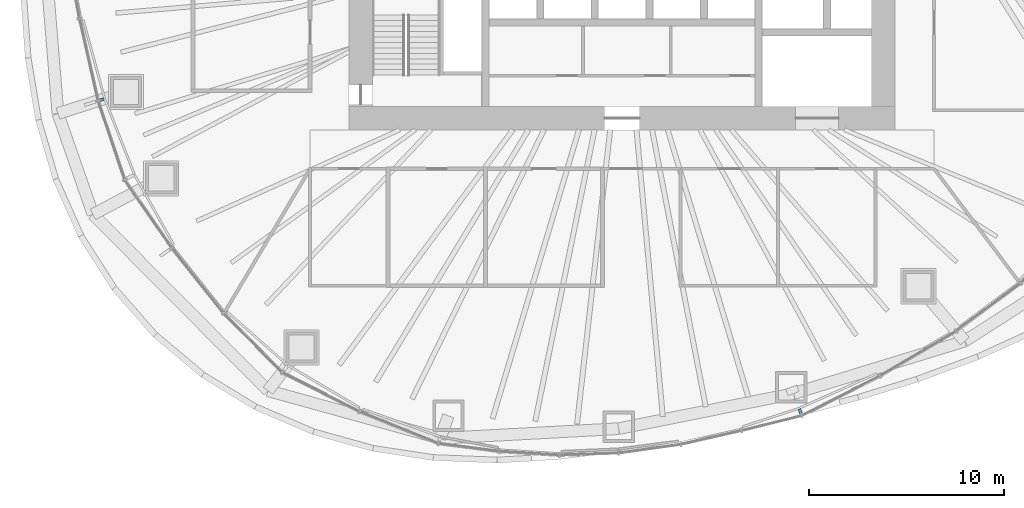
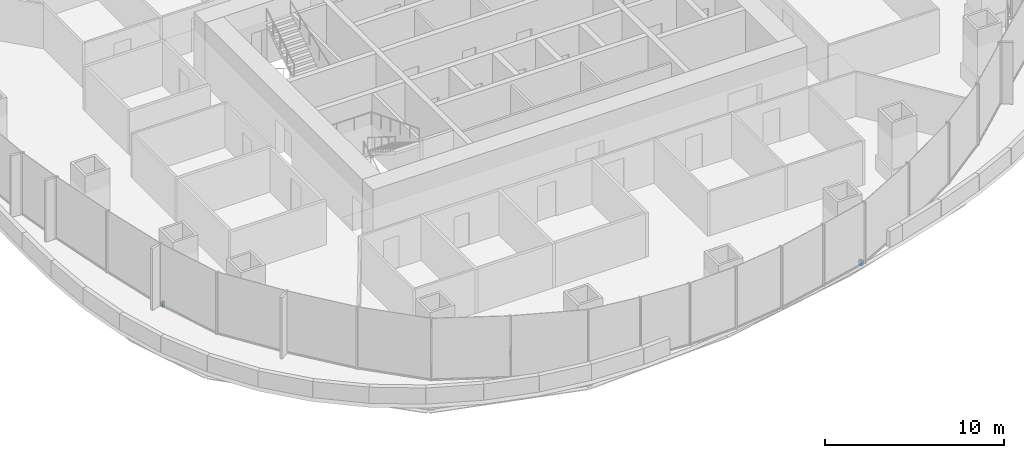
# One storey, part 15 of 20: 2 discrete accessories.
"""IFC4 building model written with IfcOpenShell, lengths in metres."""

import ifcopenshell
import ifcopenshell.guid

model = None  # the IFC model being written
_history = None  # IfcOwnerHistory: only IFC2X3 demands one
_inside = {}  # id of a spatial element -> (the spatial element, [elements in it])
_under = {}  # id of a project, library or spatial element -> (it, [spatial elements below it])
_declared = {}  # id of a project -> (the project, [libraries it declares])
_typed = {}  # id of a type object -> (the type object, [elements of that type])
_made_of = {}  # id of a material, layer set ... -> (it, [elements and type objects made of it])


def new_model(schema):
    """Start an empty IFC model of exactly this schema.

    Asked for "IFC4X3", IfcOpenShell would pick the latest addendum, in which some entities
    have other attributes; the version numbers below select the first issue.
    IFC2X3 requires an IfcOwnerHistory on every rooted entity: one is made here for all.
    """
    global model, _history
    if schema == "IFC4X3":
        model = ifcopenshell.file(schema_version=(4, 3, 0, 0))
    else:
        model = ifcopenshell.file(schema=schema)
    _inside.clear()
    _under.clear()
    _declared.clear()
    _typed.clear()
    _made_of.clear()
    _history = None
    if model.schema == "IFC2X3":
        org = make("IfcOrganization", Name="unknown")
        user = make(
            "IfcPersonAndOrganization",
            ThePerson=make("IfcPerson", FamilyName="unknown"),
            TheOrganization=org,
        )
        app = make(
            "IfcApplication",
            ApplicationDeveloper=org,
            Version="unknown",
            ApplicationFullName="unknown",
            ApplicationIdentifier="unknown",
        )
        _history = make(
            "IfcOwnerHistory",
            OwningUser=user,
            OwningApplication=app,
            ChangeAction="ADDED",
            CreationDate=0,
        )
    return model


def make(cls, **values):
    """One entity of the class cls with the attributes given. An attribute that is None is left unset."""
    return model.create_entity(
        cls, **{name: value for name, value in values.items() if value is not None}
    )


def rooted(cls, **values):
    """An entity with a GlobalId (a new one), such as an element, a storey or a relation."""
    return make(cls, GlobalId=ifcopenshell.guid.new(), OwnerHistory=_history, **values)


def si_unit(unit_type, name, prefix=None):
    """IfcSIUnit, for example si_unit("LENGTHUNIT", "METRE", prefix="MILLI")."""
    return make("IfcSIUnit", UnitType=unit_type, Prefix=prefix, Name=name)


def assignment(units):
    """IfcUnitAssignment: the units of a project."""
    return None if units is None else make("IfcUnitAssignment", Units=units)


def point(xyz):
    """IfcCartesianPoint."""
    return None if xyz is None else make("IfcCartesianPoint", Coordinates=xyz)


def direction(xyz):
    """IfcDirection."""
    return None if xyz is None else make("IfcDirection", DirectionRatios=xyz)


def frame(location, z_axis=None, x_axis=None):
    """IfcAxis2Placement3D, a coordinate frame: its origin and axes. An axis left out is left unset."""
    return make(
        "IfcAxis2Placement3D",
        Location=point(location),
        Axis=direction(z_axis),
        RefDirection=direction(x_axis),
    )


def frame_2d(location, x_axis=None):
    """IfcAxis2Placement2D, a coordinate frame in the plane: its origin and x axis."""
    return make(
        "IfcAxis2Placement2D", Location=point(location), RefDirection=direction(x_axis)
    )


def origin():
    """The frame at (0, 0, 0) with its axes left unset."""
    return frame((0.0, 0.0, 0.0))


def origin_2d():
    """The frame at (0, 0) in the plane with its x axis left unset."""
    return frame_2d((0.0, 0.0))


def place(relative_to, where):
    """IfcLocalPlacement: puts the frame where relative to a parent placement (None: the world)."""
    return make(
        "IfcLocalPlacement", PlacementRelTo=relative_to, RelativePlacement=where
    )


def context(
    kind, dimensions, precision=None, world=None, true_north=None, identifier=None
):
    """IfcGeometricRepresentationContext, for example the 3D "Model" context."""
    return make(
        "IfcGeometricRepresentationContext",
        ContextIdentifier=identifier,
        ContextType=kind,
        CoordinateSpaceDimension=dimensions,
        Precision=precision,
        WorldCoordinateSystem=world,
        TrueNorth=true_north,
    )


def subcontext(parent, identifier, kind, view, scale=None):
    """IfcGeometricRepresentationSubContext, for example "Body" below "Model"."""
    return make(
        "IfcGeometricRepresentationSubContext",
        ContextIdentifier=identifier,
        ContextType=kind,
        ParentContext=parent,
        TargetScale=scale,
        TargetView=view,
    )


def project(units=None, contexts=None):
    """IfcProject with its units and contexts."""
    return rooted(
        "IfcProject",
        Name="project",
        RepresentationContexts=contexts,
        UnitsInContext=assignment(units),
    )


def spatial(cls, under=None, at=None, **own):
    """A site, building, storey or space (cls), placed at a placement, below another one or the project."""
    s = rooted(cls, ObjectPlacement=at, **own)
    if under is not None:
        _under.setdefault(under.id(), (under, []))[1].append(s)
    return s


def profile(cls, at=None, kind="AREA", **sizes):
    """A parametric profile (cls). Its sizes go by their IFC names, for example OverallWidth=200.0."""
    return make(cls, ProfileType=kind, Position=at, **sizes)


def rectangle(**sizes):
    """IfcRectangleProfileDef."""
    return profile("IfcRectangleProfileDef", **sizes)


def extrude(swept, where, along, depth):
    """IfcExtrudedAreaSolid: the profile swept, set in the frame where, extruded along a direction by depth."""
    return make(
        "IfcExtrudedAreaSolid",
        SweptArea=swept,
        Position=where,
        ExtrudedDirection=direction(along),
        Depth=depth,
    )


def shape(context_of_items, identifier, shape_type, items):
    """IfcShapeRepresentation: the items that make up one representation, for example the "Body"."""
    return make(
        "IfcShapeRepresentation",
        ContextOfItems=context_of_items,
        RepresentationIdentifier=identifier,
        RepresentationType=shape_type,
        Items=items,
    )


def material(Name=None, Category=None):
    """IfcMaterial."""
    return make("IfcMaterial", Name=Name, Category=Category)


def made_of(thing, what):
    """Note that an element or type object is made of a material, layer set ...; save() writes the relation."""
    if what is not None:
        _made_of.setdefault(what.id(), (what, []))[1].append(thing)
    return thing


def type_object(cls, material=None, **own):
    """A type object (cls), such as IfcWallType, which elements share."""
    return made_of(rooted(cls, **own), material)


def element(
    cls,
    number,
    at=None,
    inside=None,
    cuts=None,
    type_object=None,
    material=None,
    context=None,
    identifier="Body",
    shape_type=None,
    held_by="IfcProductDefinitionShape",
    body=None,
    shapes=None,
    **own,
):
    """One element of the class cls, such as IfcWall. Its Tag is "e" and its number.

    at: its placement. inside: the storey or other place that contains it. cuts: it is an
    opening in that element (IfcRelVoidsElement). A single representation is given by context,
    identifier, shape_type and body (its items); several are given by shapes. held_by: the class
    of the entity that holds the representations. save() writes the other relations.
    """
    e = rooted(cls, Tag="e%d" % number, ObjectPlacement=at, **own)
    if body is not None:
        shapes = [shape(context, identifier, shape_type, body)]
    if shapes is not None:
        e.Representation = make(held_by, Representations=shapes)
    if inside is not None:
        _inside.setdefault(inside.id(), (inside, []))[1].append(e)
    if cuts is not None:
        rooted(
            "IfcRelVoidsElement", RelatingBuildingElement=cuts, RelatedOpeningElement=e
        )
    if type_object is not None:
        _typed.setdefault(type_object.id(), (type_object, []))[1].append(e)
    return made_of(e, material)


def aggregate(whole, parts):
    """IfcRelAggregates: a whole, such as a stair, and the parts it consists of."""
    return rooted("IfcRelAggregates", RelatingObject=whole, RelatedObjects=parts)


def save(model, path):
    """Write the relations noted so far, then the file.

    IfcRelAggregates (storeys below a building ...), IfcRelContainedInSpatialStructure (elements
    in a storey), IfcRelDefinesByType, IfcRelAssociatesMaterial and IfcRelDeclares: one each for
    every whole, place, type object, material and project.
    """
    for whole, parts in _under.values():
        aggregate(whole, parts)
    for where, things in _inside.values():
        rooted(
            "IfcRelContainedInSpatialStructure",
            RelatedElements=things,
            RelatingStructure=where,
        )
    for kind, things in _typed.values():
        rooted("IfcRelDefinesByType", RelatedObjects=things, RelatingType=kind)
    for what, things in _made_of.values():
        rooted("IfcRelAssociatesMaterial", RelatedObjects=things, RelatingMaterial=what)
    for by, libraries in _declared.values():
        rooted("IfcRelDeclares", RelatingContext=by, RelatedDefinitions=libraries)
    model.write(path)


model = new_model("IFC4")

# Units and contexts
model_context = context("Model", 3, precision=1e-05, world=origin(), true_north=direction((0.0, 1.0)))
body_context = subcontext(model_context, "Body", "Model", "MODEL_VIEW")
ifc_project = project(units=[si_unit("LENGTHUNIT", "METRE"), si_unit("AREAUNIT", "SQUARE_METRE"), si_unit("VOLUMEUNIT", "CUBIC_METRE"), si_unit("PLANEANGLEUNIT", "RADIAN"), si_unit("MASSUNIT", "GRAM", prefix="KILO")], contexts=[model_context])

# Site, building, storey
site_placement = place(None, origin())
site = spatial("IfcSite", under=ifc_project, at=site_placement, CompositionType="ELEMENT")
building_placement = place(site_placement, origin())
building = spatial("IfcBuilding", under=site, at=building_placement, Name="Ghaith Harvest Tower", CompositionType="ELEMENT")
storey_placement = place(building_placement, frame((0.0, 0.0, 105.0)))
storey = spatial("IfcBuildingStorey", under=building, at=storey_placement, Name="L21", CompositionType="ELEMENT", Elevation=105.0)

# Discrete accessories
ifc_material_1 = material(Name="Stainless steel grade 1.4401", Category="steel")
discrete_accessory_type_1 = type_object("IfcDiscreteAccessoryType", Name="CURTAIN WALL BRACKET 205", PredefinedType="BRACKET", material=ifc_material_1)
discrete_accessory_1_placement = place(storey_placement, frame((-26.673095703125, -8.453125, -0.25), z_axis=(0.0, 0.0, 1.0), x_axis=(-0.953273219416, -0.302109531701, 0.0)))
element("IfcDiscreteAccessory", 1, at=discrete_accessory_1_placement, inside=storey, type_object=discrete_accessory_type_1, Name="CW-L bracket 1 bay 12 L21", PredefinedType="BRACKET", context=body_context, shape_type="SweptSolid", body=[
    extrude(rectangle(XDim=0.205078125, YDim=0.14990234375, at=origin_2d()), origin(), (0.0, 0.0, 1.0), 0.35009765625),
])
ifc_material_2 = material(Name="Stainless steel grade 1.4401", Category="steel")
discrete_accessory_type_2 = type_object("IfcDiscreteAccessoryType", Name="CURTAIN WALL BRACKET 245", PredefinedType="BRACKET", material=ifc_material_2)
discrete_accessory_2_placement = place(storey_placement, frame((9.135498046875, -24.436767578125, -0.25), z_axis=(0.0, 0.0, 1.0), x_axis=(0.35016769691, -0.93668702566, 0.0)))
element("IfcDiscreteAccessory", 2, at=discrete_accessory_2_placement, inside=storey, type_object=discrete_accessory_type_2, Name="CW-L bracket 1 bay 17 L21", PredefinedType="BRACKET", context=body_context, shape_type="SweptSolid", body=[
    extrude(rectangle(XDim=0.2451171875, YDim=0.14990234375, at=origin_2d()), origin(), (0.0, 0.0, 1.0), 0.35009765625),
])

save(model, "model.ifc")
